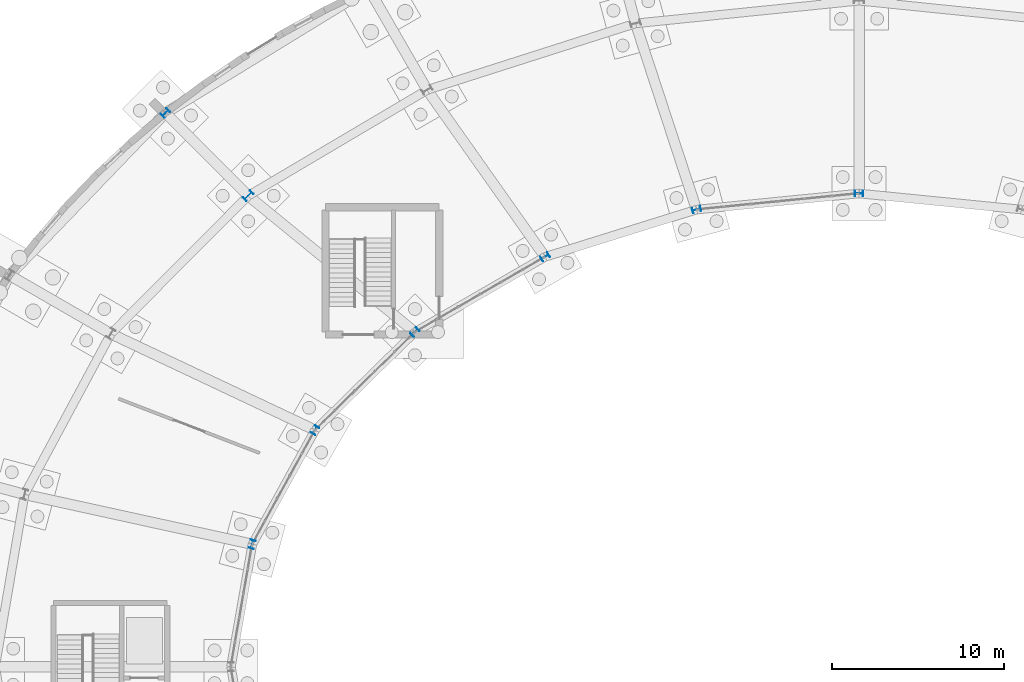
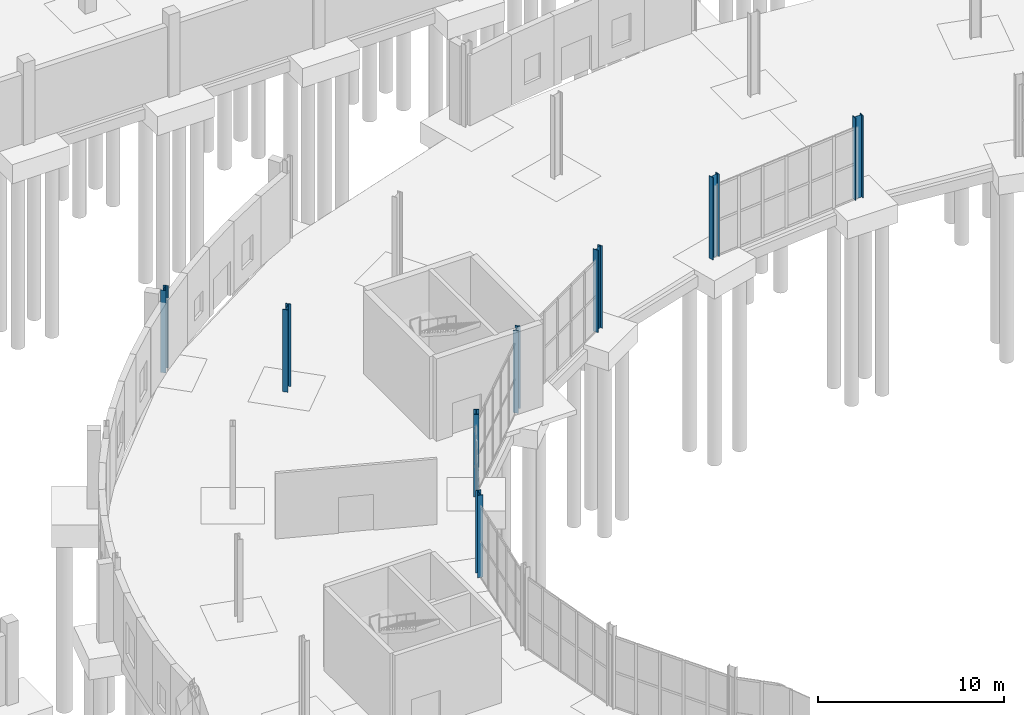
# One storey, part 29 of 118: 8 columns.
"""IFC4 building model written with IfcOpenShell, lengths in metres."""

from ifc_helpers import new_model, si_unit, direction, frame, origin, origin_2d, place, context, subcontext, project, spatial, i_section, extrude, material, material_profile, profile_set, type_object, element, save


model = new_model("IFC4")

# Units and contexts
model_context = context("Model", 3, precision=1e-05, world=origin(), true_north=direction((0.0, 1.0)))
body_context = subcontext(model_context, "Body", "Model", "MODEL_VIEW")
ifc_project = project(units=[si_unit("LENGTHUNIT", "METRE"), si_unit("AREAUNIT", "SQUARE_METRE"), si_unit("VOLUMEUNIT", "CUBIC_METRE"), si_unit("PLANEANGLEUNIT", "RADIAN"), si_unit("MASSUNIT", "GRAM", prefix="KILO")], contexts=[model_context])

# Site, building, storey
site_placement = place(None, origin())
site = spatial("IfcSite", under=ifc_project, at=site_placement, CompositionType="ELEMENT")
building_placement = place(site_placement, origin())
building = spatial("IfcBuilding", under=site, at=building_placement, Name="Kildeholm Park Wholesale Market", CompositionType="ELEMENT")
storey_placement = place(building_placement, origin())
storey = spatial("IfcBuildingStorey", under=building, at=storey_placement, Name="L00", CompositionType="ELEMENT", Elevation=0.0)

# Columns
ifc_material = material(Name="Steel S355", Category="steel")
ifc_material_profile_1 = material_profile(ifc_material, i_section(OverallWidth=0.300048828125, OverallDepth=0.5, WebThickness=0.014404296875, FlangeThickness=0.028076171875, FilletRadius=0.027099609375, at=origin_2d()), Name="HEB 500")
ifc_profile_set_1 = profile_set([ifc_material_profile_1], Name="Steel S355")
column_type_1 = type_object("IfcColumnType", Name="Column C-S07 HEB 500", PredefinedType="COLUMN", material=ifc_profile_set_1)
for number, where, z_axis, x_axis, name in (
    (1, (99.0, 117.0, 0.0), (0.0, 0.0, 1.0), (0.0, 1.0, 0.0), "Column V1-IN-06 L00 COL-0055"),
    (2, (89.552978515625, 116.06298828125, 0.0), (0.0, 0.0, 1.0), (-0.258819045103, 0.965925826289, 0.0), "Column V1-IN-07 L00 COL-0064"),
    (3, (80.75, 113.31591796875, 0.0), (0.0, 0.0, 1.0), (-0.5, 0.866025403784, 0.0), "Column V1-IN-08 L00 COL-0073"),
    (4, (73.19091796875, 108.945068359375, 0.0), (0.0, 0.0, 1.0), (-0.707106781187, 0.707106781187, 0.0), "Column V1-IN-09 L00 COL-0082"),
    (5, (58.695068359375, 121.673095703125, 0.0), (0.0, 0.0, 1.0), (-0.707106781187, 0.707106781187, 0.0), "Column V1-OT-09 L00 COL-0088"),
    (6, (67.389892578125, 103.25, 0.0), (0.0, 0.0, 1.0), (-0.866025403784, 0.5, 0.0), "Column V1-IN-10 L00 COL-0091"),
    (7, (63.743896484375, 96.617919921875, 0.0), (0.0, 0.0, 1.0), (-0.965925826289, 0.258819045103, 0.0), "Column V1-IN-11 L00 COL-0100"),
):
    element("IfcColumn", number, at=place(storey_placement, frame(where, z_axis=z_axis, x_axis=x_axis)), inside=storey, type_object=column_type_1, Name=name, PredefinedType="COLUMN", context=body_context, shape_type="SweptSolid", body=[
        extrude(i_section(OverallWidth=0.300048828125, OverallDepth=0.5, WebThickness=0.014404296875, FlangeThickness=0.028076171875, FilletRadius=0.027099609375, at=origin_2d()), origin(), (0.0, 0.0, 1.0), 5.39990234375),
    ])
ifc_material_profile_2 = material_profile(ifc_material, i_section(OverallWidth=0.300048828125, OverallDepth=0.60009765625, WebThickness=0.015380859375, FlangeThickness=0.030029296875, FilletRadius=0.027099609375, at=origin_2d()), Name="HEB 600")
ifc_profile_set_2 = profile_set([ifc_material_profile_2], Name="Steel S355")
column_type_2 = type_object("IfcColumnType", Name="Column C-S08 HEB 600", PredefinedType="COLUMN", material=ifc_profile_set_2)
column_placement = place(storey_placement, frame((63.5029296875, 116.864990234375, 0.0), z_axis=(0.0, 0.0, 1.0), x_axis=(-0.707106781187, 0.707106781187, 0.0)))
element("IfcColumn", 8, at=column_placement, inside=storey, type_object=column_type_2, Name="Column V1-MD-09 L00 COL-0085", PredefinedType="COLUMN", context=body_context, shape_type="SweptSolid", body=[
    extrude(i_section(OverallWidth=0.300048828125, OverallDepth=0.60009765625, WebThickness=0.015380859375, FlangeThickness=0.030029296875, FilletRadius=0.027099609375, at=origin_2d()), origin(), (0.0, 0.0, 1.0), 5.39990234375),
])

save(model, "model.ifc")
